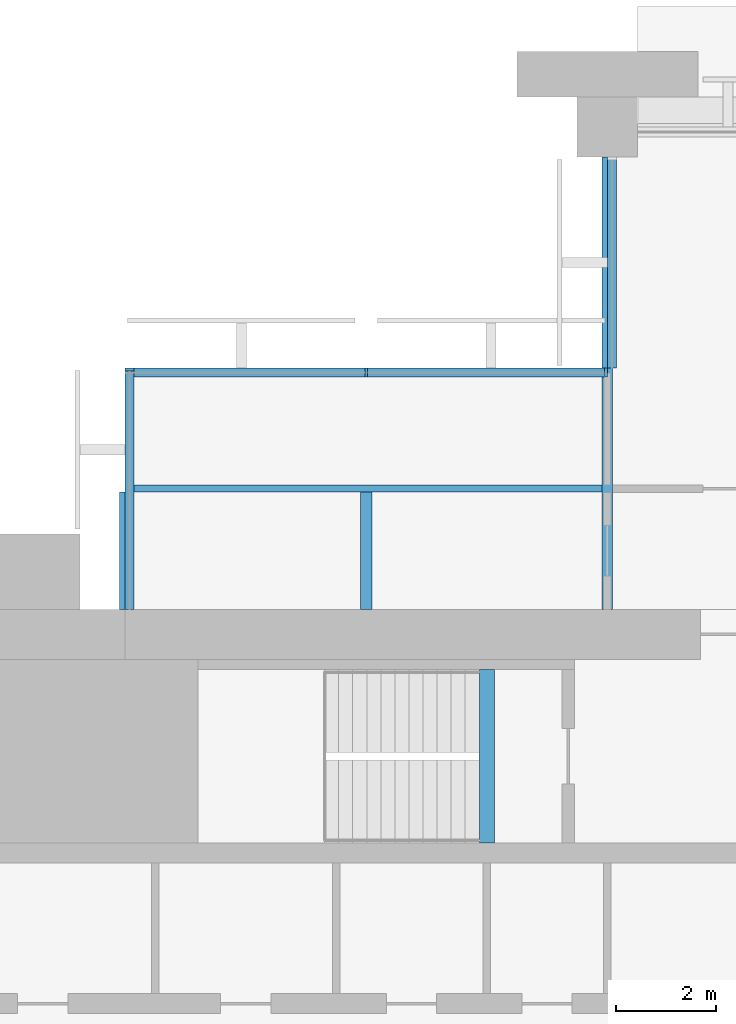
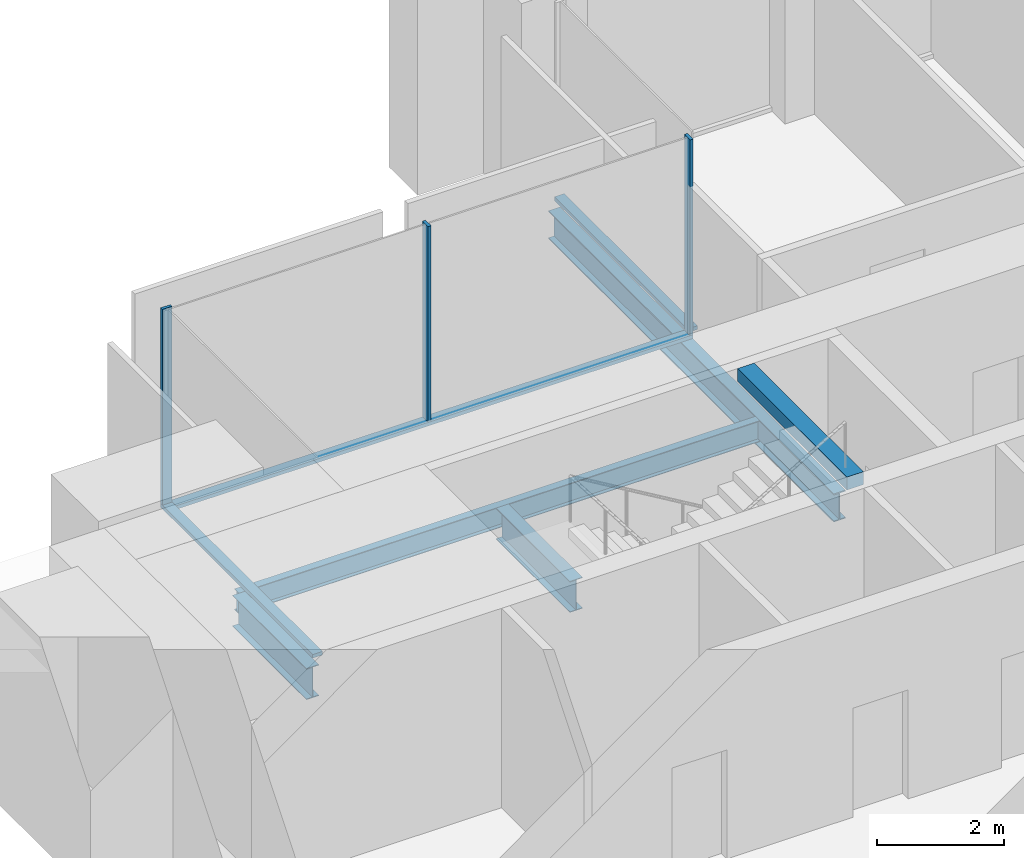
# One storey, part 5 of 15: 6 members, 5 beams, 3 elements without a shape of their own.
"""IFC4 building model written with IfcOpenShell, lengths in metres."""

from ifc_helpers import new_model, si_unit, direction, frame, origin, origin_2d, place, context, subcontext, project, spatial, rectangle, i_section, extrude, material, material_profile, profile_set, type_object, element, aggregate, save


model = new_model("IFC4")

# Units and contexts
model_context = context("Model", 3, precision=1e-05, world=origin(), true_north=direction((0.0, 1.0)))
body_context = subcontext(model_context, "Body", "Model", "MODEL_VIEW")
ifc_project = project(units=[si_unit("LENGTHUNIT", "METRE"), si_unit("AREAUNIT", "SQUARE_METRE"), si_unit("VOLUMEUNIT", "CUBIC_METRE"), si_unit("PLANEANGLEUNIT", "RADIAN"), si_unit("MASSUNIT", "GRAM", prefix="KILO")], contexts=[model_context])

# Site, building, storey
site_placement = place(None, origin())
site = spatial("IfcSite", under=ifc_project, at=site_placement, CompositionType="ELEMENT")
building_placement = place(site_placement, origin())
building = spatial("IfcBuilding", under=site, at=building_placement, Name="Baori Bourse Tower", CompositionType="ELEMENT")
storey_placement = place(building_placement, frame((0.0, 0.0, 128.10009765625)))
storey = spatial("IfcBuildingStorey", under=building, at=storey_placement, Name="L27", CompositionType="ELEMENT", Elevation=128.10009765625)

# Curtain wall, members
ifc_material_1 = material(Name="Pale anodised aluminium", Category="aluminium")
curtain_wall_type = type_object("IfcCurtainWallType", Name="CW2 Curtain wall", PredefinedType="NOTDEFINED", material=ifc_material_1)
curtain_wall_1_placement = place(storey_placement, origin())
curtain_wall_1 = element("IfcCurtainWall", 1, at=curtain_wall_1_placement, inside=storey, type_object=curtain_wall_type, Name="Curtain wall CW2 L27 8", PredefinedType="NOTDEFINED")
ifc_material_2 = material(Name="Pale anodised aluminium", Category="aluminium")
ifc_material_profile_1 = material_profile(ifc_material_2, rectangle(XDim=0.179931640625, YDim=0.054931640625, at=origin_2d()), Name="Mullion 55x180")
ifc_profile_set_1 = profile_set([ifc_material_profile_1], Name="Pale anodised aluminium")
member_type_1 = type_object("IfcMemberType", Name="CW2 Curtain wall mullion", PredefinedType="MULLION", material=ifc_profile_set_1)
member_1_placement = place(storey_placement, frame((14.37255859375, 43.110107421875, 0.06982421875), z_axis=(0.0, 0.0, 1.0), x_axis=(0.0, -1.0, 0.0)))
member_1 = element("IfcMember", 2, at=member_1_placement, type_object=member_type_1, Name="Curtain wall CW2 mullion", PredefinedType="MULLION", context=body_context, shape_type="SweptSolid", body=[
    extrude(rectangle(XDim=0.179931640625, YDim=0.054931640625, at=origin_2d()), origin(), (0.0, 0.0, 1.0), 3.77001953125),
])
member_2_placement = place(storey_placement, frame((9.60009765625, 43.110107421875, 0.06982421875), z_axis=(0.0, 0.0, 1.0), x_axis=(0.0, -1.0, 0.0)))
member_2 = element("IfcMember", 3, at=member_2_placement, type_object=member_type_1, Name="Curtain wall CW2 mullion", PredefinedType="MULLION", context=body_context, shape_type="SweptSolid", body=[
    extrude(rectangle(XDim=0.179931640625, YDim=0.054931640625, at=origin_2d()), origin(), (0.0, 0.0, 1.0), 3.77001953125),
])

# Curtain wall, member
curtain_wall_2_placement = place(storey_placement, origin())
curtain_wall_2 = element("IfcCurtainWall", 4, at=curtain_wall_2_placement, inside=storey, type_object=curtain_wall_type, Name="Curtain wall CW2 L27 9", PredefinedType="NOTDEFINED")
member_3_placement = place(storey_placement, frame((4.889892578125, 43.172607421875, 0.06982421875), z_axis=(0.0, 0.0, 1.0), x_axis=(1.0, 0.0, 0.0)))
member_3 = element("IfcMember", 5, at=member_3_placement, type_object=member_type_1, Name="Curtain wall CW2 mullion", PredefinedType="MULLION", context=body_context, shape_type="SweptSolid", body=[
    extrude(rectangle(XDim=0.179931640625, YDim=0.054931640625, at=origin_2d()), origin(), (0.0, 0.0, 1.0), 3.77001953125),
])

curtain_wall_3_placement = place(storey_placement, origin())
curtain_wall_3 = element("IfcCurtainWall", 6, at=curtain_wall_3_placement, inside=storey, type_object=curtain_wall_type, Name="Curtain wall CW2 L27 7", PredefinedType="NOTDEFINED")
ifc_material_3 = material(Name="Pale anodised aluminium", Category="aluminium")
ifc_material_profile_2 = material_profile(ifc_material_3, rectangle(XDim=0.179931640625, YDim=0.070068359375, at=origin_2d()), Name="Transom 70x180")
ifc_profile_set_2 = profile_set([ifc_material_profile_2], Name="Pale anodised aluminium")
member_type_2 = type_object("IfcMemberType", Name="CW2 Curtain wall transom", PredefinedType="USERDEFINED", material=ifc_profile_set_2)
member_4_placement = place(storey_placement, frame((14.489990234375, 47.39990234375, 0.034912109375), z_axis=(0.0, -1.0, 0.0), x_axis=(1.0, 0.0, 0.0)))
member_4 = element("IfcMember", 7, at=member_4_placement, type_object=member_type_2, Name="Curtain wall CW2 sill rail", ObjectType="TRANSOM", PredefinedType="USERDEFINED", context=body_context, shape_type="SweptSolid", body=[
    extrude(rectangle(XDim=0.179931640625, YDim=0.070068359375, at=origin_2d()), origin(), (0.0, 0.0, 1.0), 4.199951171875),
])
aggregate(curtain_wall_3, [member_4])

# Member
member_5_placement = place(storey_placement, frame((14.39990234375, 43.110107421875, 0.034912109375), z_axis=(-1.0, 0.0, 0.0), x_axis=(0.0, -1.0, 0.0)))
member_5 = element("IfcMember", 8, at=member_5_placement, type_object=member_type_2, Name="Curtain wall CW2 sill rail", ObjectType="TRANSOM", PredefinedType="USERDEFINED", context=body_context, shape_type="SweptSolid", body=[
    extrude(rectangle(XDim=0.179931640625, YDim=0.070068359375, at=origin_2d()), origin(), (0.0, 0.0, 1.0), 9.599853515625),
])

aggregate(curtain_wall_1, [member_5, member_1, member_2])

member_6_placement = place(storey_placement, frame((4.889892578125, 43.199951171875, 0.034912109375), z_axis=(0.0, -1.0, 0.0), x_axis=(1.0, 0.0, 0.0)))
member_6 = element("IfcMember", 9, at=member_6_placement, type_object=member_type_2, Name="Curtain wall CW2 sill rail", ObjectType="TRANSOM", PredefinedType="USERDEFINED", context=body_context, shape_type="SweptSolid", body=[
    extrude(rectangle(XDim=0.179931640625, YDim=0.070068359375, at=origin_2d()), origin(), (0.0, 0.0, 1.0), 4.800048828125),
])

aggregate(curtain_wall_2, [member_6, member_3])

# Beams
ifc_material_4 = material(Name="Steel A992 Gr 50", Category="steel")
ifc_material_profile_3 = material_profile(ifc_material_4, i_section(OverallWidth=0.227783203125, OverallDepth=0.60205078125, WebThickness=0.010498046875, FlangeThickness=0.014892578125, at=origin_2d()), Name="W24x68")
ifc_profile_set_3 = profile_set([ifc_material_profile_3], Name="Steel A992 Gr 50")
beam_type_1 = type_object("IfcBeamType", Name="Core bracket W24x68", PredefinedType="BEAM", material=ifc_profile_set_3)
for number, where, z_axis, x_axis, name in (
    (10, (4.800048828125, 38.39990234375, -0.461181640625), (0.0, 1.0, 0.0), (-1.0, 0.0, 0.0), "Core bracket L27"),
    (11, (9.60009765625, 38.39990234375, -0.461181640625), (0.0, 1.0, 0.0), (-1.0, 0.0, 0.0), "Core bracket L27"),
):
    element("IfcBeam", number, at=place(storey_placement, frame(where, z_axis=z_axis, x_axis=x_axis)), inside=storey, type_object=beam_type_1, Name=name, PredefinedType="BEAM", context=body_context, shape_type="SweptSolid", body=[
        extrude(i_section(OverallWidth=0.227783203125, OverallDepth=0.60205078125, WebThickness=0.010498046875, FlangeThickness=0.014892578125, at=origin_2d()), origin(), (0.0, 0.0, 1.0), 2.329833984375),
    ])
ifc_material_5 = material(Name="Steel A992 Gr 50", Category="steel")
ifc_material_profile_4 = material_profile(ifc_material_5, i_section(OverallWidth=0.21240234375, OverallDepth=0.54345703125, WebThickness=0.01318359375, FlangeThickness=0.021240234375, at=origin_2d()), Name="W21x83")
ifc_profile_set_4 = profile_set([ifc_material_profile_4], Name="Steel A992 Gr 50")
beam_type_2 = type_object("IfcBeamType", Name="Floor beam W21x83", PredefinedType="BEAM", material=ifc_profile_set_4)
beam_1_placement = place(storey_placement, frame((14.39990234375, 38.39990234375, -0.431884765625), z_axis=(0.0, 1.0, 0.0), x_axis=(-1.0, 0.0, 0.0)))
element("IfcBeam", 12, at=beam_1_placement, inside=storey, type_object=beam_type_2, Name="Floor beam L27", PredefinedType="BEAM", context=body_context, shape_type="SweptSolid", body=[
    extrude(i_section(OverallWidth=0.21240234375, OverallDepth=0.54345703125, WebThickness=0.01318359375, FlangeThickness=0.021240234375, at=origin_2d()), origin(), (0.0, 0.0, 1.0), 9.0),
])
ifc_material_6 = material(Name="Concrete f'c 50 MPa", Category="concrete")
ifc_material_profile_5 = material_profile(ifc_material_6, rectangle(XDim=0.300048828125, YDim=0.25, at=origin_2d()), Name="RC 300x250")
ifc_profile_set_5 = profile_set([ifc_material_profile_5], Name="Concrete f'c 50 MPa")
beam_type_3 = type_object("IfcBeamType", Name="Stair nib beam RC 300x250", PredefinedType="BEAM", material=ifc_profile_set_5)
beam_2_placement = place(storey_placement, frame((12.0, 33.75, 3.71484375), z_axis=(0.0, 1.0, 0.0), x_axis=(-1.0, 0.0, 0.0)))
element("IfcBeam", 13, at=beam_2_placement, inside=storey, type_object=beam_type_3, Name="Stair WB nib beam L28", PredefinedType="BEAM", context=body_context, shape_type="SweptSolid", body=[
    extrude(rectangle(XDim=0.300048828125, YDim=0.25, at=origin_2d()), origin(), (0.0, 0.0, 1.0), 3.449951171875),
])
ifc_material_7 = material(Name="Steel A992 Gr 50", Category="steel")
ifc_material_profile_6 = material_profile(ifc_material_7, i_section(OverallWidth=0.140380859375, OverallDepth=0.40380859375, WebThickness=0.007080078125, FlangeThickness=0.01123046875, at=origin_2d()), Name="W16x31")
ifc_profile_set_6 = profile_set([ifc_material_profile_6], Name="Steel A992 Gr 50")
beam_type_4 = type_object("IfcBeamType", Name="Trimmer beam W16x31", PredefinedType="BEAM", material=ifc_profile_set_6)
beam_3_placement = place(storey_placement, frame((4.800048828125, 40.800048828125, -0.362060546875), z_axis=(1.0, 0.0, 0.0), x_axis=(0.0, 1.0, 0.0)))
element("IfcBeam", 14, at=beam_3_placement, inside=storey, type_object=beam_type_4, Name="Trimmer beam L27", PredefinedType="BEAM", context=body_context, shape_type="SweptSolid", body=[
    extrude(i_section(OverallWidth=0.140380859375, OverallDepth=0.40380859375, WebThickness=0.007080078125, FlangeThickness=0.01123046875, at=origin_2d()), origin(), (0.0, 0.0, 1.0), 9.493896484375),
])

save(model, "model.ifc")
